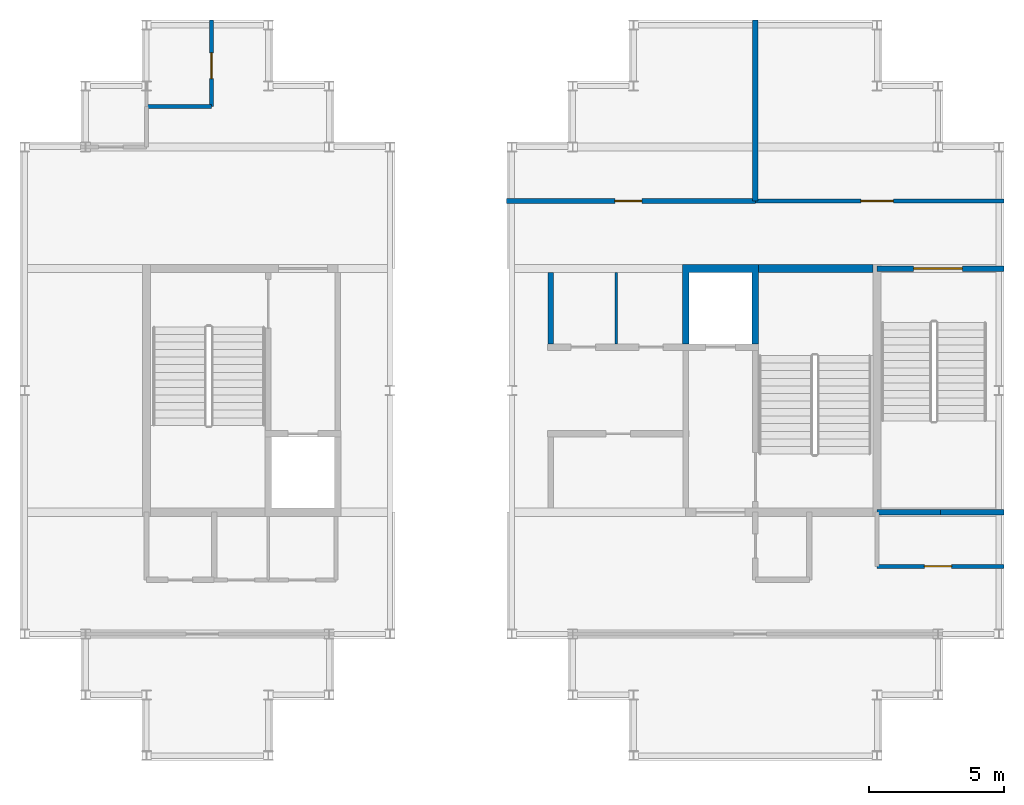
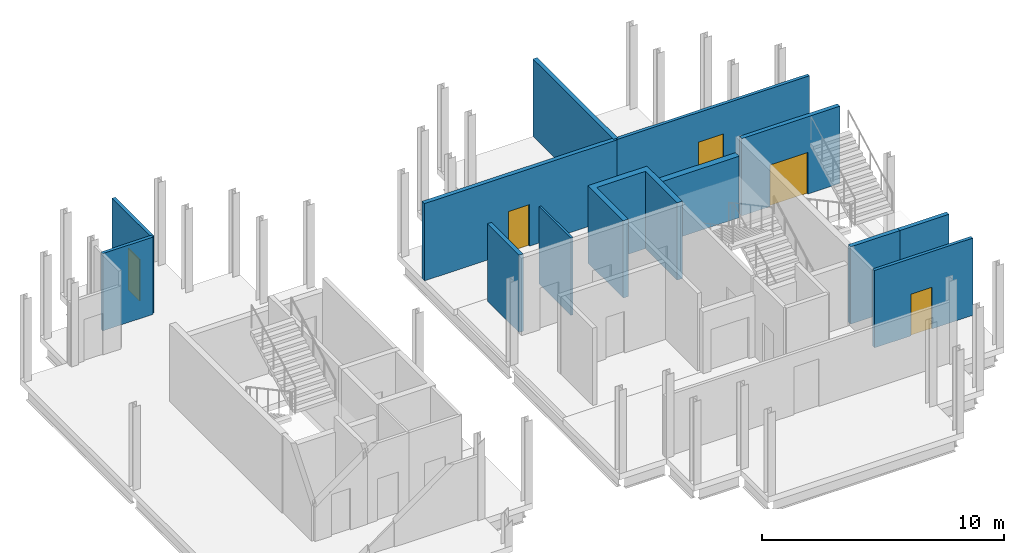
# One storey, part 3 of 7: 13 walls, 5 doors, 5 openings.
"""IFC4 building model written with IfcOpenShell, lengths in metres."""

from ifc_helpers import new_model, si_unit, direction, frame, frame_2d, origin, place, context, subcontext, project, spatial, polyline, rectangle, outline, extrude, material, layer, layer_set, type_object, element, fill, save


model = new_model("IFC4")

# Units and contexts
model_context = context("Model", 3, precision=1e-05, world=origin(), true_north=direction((0.0, 1.0)))
body_context = subcontext(model_context, "Body", "Model", "MODEL_VIEW")
ifc_project = project(units=[si_unit("LENGTHUNIT", "METRE"), si_unit("AREAUNIT", "SQUARE_METRE"), si_unit("VOLUMEUNIT", "CUBIC_METRE"), si_unit("PLANEANGLEUNIT", "RADIAN"), si_unit("MASSUNIT", "GRAM", prefix="KILO")], contexts=[model_context])

# Site, building, storey
site_placement = place(None, origin())
site = spatial("IfcSite", under=ifc_project, at=site_placement, CompositionType="ELEMENT")
building_placement = place(site_placement, origin())
building = spatial("IfcBuilding", under=site, at=building_placement, Name="Caravel Reach Hotel and Residences", CompositionType="ELEMENT")
storey_placement = place(building_placement, frame((0.0, 0.0, 317.0)))
storey = spatial("IfcBuildingStorey", under=building, at=storey_placement, Name="L80", CompositionType="ELEMENT", Elevation=317.0)

# Wall
ifc_material_1 = material(Name="Autoclaved aerated block wall")
ifc_layer_1 = layer(ifc_material_1, 0.199951171875)
ifc_layer_set_1 = layer_set([ifc_layer_1], Name="Compartment wall 200 mm EI 120")
wall_type_1 = type_object("IfcWallType", Name="Compartment wall 200 mm EI 120", PredefinedType="PARTITIONING", material=ifc_layer_set_1)
wall_1_placement = place(storey_placement, frame((32.935791015625, 28.72509765625, 0.0), z_axis=(0.0, 0.0, 1.0), x_axis=(0.0, 1.0, 0.0)))
element("IfcWall", 1, at=wall_1_placement, inside=storey, type_object=wall_type_1, Name="L80 store partition", PredefinedType="PARTITIONING", context=body_context, shape_type="SweptSolid", body=[
    extrude(rectangle(XDim=2.625, YDim=0.199951171875, at=frame_2d((1.3125, 0.0))), origin(), (0.0, 0.0, 1.0), 3.89990234375),
])

# Wall, opening, door
wall_2_placement = place(storey_placement, frame((31.31005859375, 34.0, 0.0), z_axis=(0.0, 0.0, 1.0), x_axis=(1.0, 0.0, 0.0)))
wall_2 = element("IfcWall", 2, at=wall_2_placement, inside=storey, type_object=wall_type_1, Name="L80 wall w017", PredefinedType="PARTITIONING", context=body_context, shape_type="SweptSolid", body=[
    extrude(rectangle(XDim=9.18994140625, YDim=0.199951171875, at=frame_2d((4.594970703125, 0.0))), origin(), (0.0, 0.0, 1.0), 3.89990234375),
])
opening_1_placement = place(wall_2_placement, frame((4.0, 0.0, 0.0)))
opening_1 = element("IfcOpeningElement", 3, at=opening_1_placement, cuts=wall_2, Name="Opening D80-016", PredefinedType="OPENING", context=body_context, shape_type="SweptSolid", body=[
    extrude(rectangle(XDim=1.0, YDim=2.10009765625, at=frame_2d((0.5, 1.050048828125))), frame((0.0, 0.10986328125, 0.0), z_axis=(0.0, -1.0, 0.0), x_axis=(1.0, 0.0, 0.0)), (0.0, 0.0, 1.0), 0.219970703125),
])
ifc_material_2 = material(Name="Steel fire door leaf", Category="steel")
door_type_1 = type_object("IfcDoorType", Name="Fire door 1000 x 2100 EI 60", OperationType="SINGLE_SWING_LEFT", PredefinedType="DOOR", material=ifc_material_2)
door_1_placement = place(opening_1_placement, origin())
door_1 = element("IfcDoor", 4, at=door_1_placement, inside=storey, type_object=door_type_1, Name="door D80-016", OperationType="SINGLE_SWING_RIGHT", OverallHeight=2.10009765625, OverallWidth=1.0, PredefinedType="DOOR", context=body_context, shape_type="SweptSolid", body=[
    extrude(rectangle(XDim=1.0, YDim=2.10009765625, at=frame_2d((0.5, 1.050048828125))), frame((0.0, 0.02490234375, 0.0), z_axis=(0.0, -1.0, 0.0), x_axis=(1.0, 0.0, 0.0)), (0.0, 0.0, 1.0), 0.050048828125),
])
fill(opening_1, door_1)

# Walls
wall_3_placement = place(storey_placement, frame((40.5, 34.0, 0.0), z_axis=(0.0, 0.0, 1.0), x_axis=(0.0, 1.0, 0.0)))
element("IfcWall", 5, at=wall_3_placement, inside=storey, type_object=wall_type_1, Name="L80 wall w021", PredefinedType="PARTITIONING", context=body_context, shape_type="SweptSolid", body=[
    extrude(rectangle(XDim=6.68994140625, YDim=0.199951171875, at=frame_2d((3.344970703125, 0.0))), origin(), (0.0, 0.0, 1.0), 3.89990234375),
])
ifc_material_3 = material(Name="Concrete C60", Category="concrete")
ifc_layer_2 = layer(ifc_material_3, 0.300048828125)
ifc_layer_set_2 = layer_set([ifc_layer_2], Name="Core wall 300 mm EI 120")
wall_type_2 = type_object("IfcWallType", Name="Core wall 300 mm EI 120", PredefinedType="SHEAR", material=ifc_layer_set_2)
wall_4_placement = place(storey_placement, frame((40.625, 31.5, 0.0), z_axis=(0.0, 0.0, 1.0), x_axis=(1.0, 0.0, 0.0)))
element("IfcWall", 6, at=wall_4_placement, inside=storey, type_object=wall_type_2, Name="L80 core wall N2", PredefinedType="SHEAR", context=body_context, shape_type="SweptSolid", body=[
    extrude(rectangle(XDim=4.22509765625, YDim=0.300048828125, at=frame_2d((2.112548828125, 0.0))), origin(), (0.0, 0.0, 1.0), 3.10009765625),
])

# Wall, opening, door
ifc_material_4 = material(Name="Gypsum board on steel stud, fire-rated", Category="steel")
ifc_layer_3 = layer(ifc_material_4, 0.14990234375)
ifc_layer_set_3 = layer_set([ifc_layer_3], Name="Corridor wall 150 mm EI 60")
wall_type_3 = type_object("IfcWallType", Name="Corridor wall 150 mm EI 60", PredefinedType="PARTITIONING", material=ifc_layer_set_3)
wall_5_placement = place(storey_placement, frame((45.0, 20.5, 0.0), z_axis=(0.0, 0.0, 1.0), x_axis=(1.0, 0.0, 0.0)))
wall_5 = element("IfcWall", 7, at=wall_5_placement, inside=storey, type_object=wall_type_3, Name="L80 wall w005", PredefinedType="PARTITIONING", context=body_context, shape_type="SweptSolid", body=[
    extrude(rectangle(XDim=4.68994140625, YDim=0.14990234375, at=frame_2d((2.344970703125, 0.0))), origin(), (0.0, 0.0, 1.0), 3.89990234375),
])
opening_2_placement = place(wall_5_placement, frame((1.75, 0.0, 0.0)))
opening_2 = element("IfcOpeningElement", 8, at=opening_2_placement, cuts=wall_5, Name="Opening D80-021", PredefinedType="OPENING", context=body_context, shape_type="SweptSolid", body=[
    extrude(rectangle(XDim=1.0, YDim=2.10009765625, at=frame_2d((0.5, 1.050048828125))), frame((0.0, 0.0849609375, 0.0), z_axis=(0.0, -1.0, 0.0), x_axis=(1.0, 0.0, 0.0)), (0.0, 0.0, 1.0), 0.169921875),
])
door_2_placement = place(opening_2_placement, origin())
door_2 = element("IfcDoor", 9, at=door_2_placement, inside=storey, type_object=door_type_1, Name="door D80-021", OperationType="SINGLE_SWING_RIGHT", OverallHeight=2.10009765625, OverallWidth=1.0, PredefinedType="DOOR", context=body_context, shape_type="SweptSolid", body=[
    extrude(rectangle(XDim=1.0, YDim=2.10009765625, at=frame_2d((0.5, 1.050048828125))), frame((0.0, 0.02490234375, 0.0), z_axis=(0.0, -1.0, 0.0), x_axis=(1.0, 0.0, 0.0)), (0.0, 0.0, 1.0), 0.050048828125),
])
fill(opening_2, door_2)

wall_6_placement = place(storey_placement, frame((40.5, 34.0, 0.0), z_axis=(0.0, 0.0, 1.0), x_axis=(1.0, 0.0, 0.0)))
wall_6 = element("IfcWall", 10, at=wall_6_placement, inside=storey, type_object=wall_type_3, Name="L80 wall w006", PredefinedType="PARTITIONING", context=body_context, shape_type="SweptSolid", body=[
    extrude(rectangle(XDim=9.18994140625, YDim=0.14990234375, at=frame_2d((4.594970703125, 0.0))), origin(), (0.0, 0.0, 1.0), 3.89990234375),
])
opening_3_placement = place(wall_6_placement, frame((3.89990234375, 0.0, 0.0)))
opening_3 = element("IfcOpeningElement", 11, at=opening_3_placement, cuts=wall_6, Name="Opening D80-017", PredefinedType="OPENING", context=body_context, shape_type="SweptSolid", body=[
    extrude(rectangle(XDim=1.199951171875, YDim=2.39990234375, at=frame_2d((0.60009765625, 1.199951171875))), frame((0.0, 0.0849609375, 0.0), z_axis=(0.0, -1.0, 0.0), x_axis=(1.0, 0.0, 0.0)), (0.0, 0.0, 1.0), 0.169921875),
])
ifc_material_5 = material(Name="Timber and steel door leaf", Category="steel")
door_type_2 = type_object("IfcDoorType", Name="Glazed door 1200 x 2400", OperationType="SINGLE_SWING_LEFT", PredefinedType="DOOR", material=ifc_material_5)
door_3_placement = place(opening_3_placement, origin())
door_3 = element("IfcDoor", 12, at=door_3_placement, inside=storey, type_object=door_type_2, Name="door D80-017", OperationType="SINGLE_SWING_RIGHT", OverallHeight=2.39990234375, OverallWidth=1.199951171875, PredefinedType="DOOR", context=body_context, shape_type="SweptSolid", body=[
    extrude(rectangle(XDim=1.199951171875, YDim=2.39990234375, at=frame_2d((0.60009765625, 1.199951171875))), frame((0.0, 0.02490234375, 0.0), z_axis=(0.0, -1.0, 0.0), x_axis=(1.0, 0.0, 0.0)), (0.0, 0.0, 1.0), 0.050048828125),
])
fill(opening_3, door_3)

# Wall
wall_7_placement = place(storey_placement, frame((18.0, 37.5, 0.0), z_axis=(0.0, 0.0, 1.0), x_axis=(1.0, 0.0, 0.0)))
element("IfcWall", 13, at=wall_7_placement, inside=storey, type_object=wall_type_3, Name="L80 wall w008", PredefinedType="PARTITIONING", context=body_context, shape_type="SweptSolid", body=[
    extrude(rectangle(XDim=2.39990234375, YDim=0.14990234375, at=frame_2d((1.199951171875, 0.0))), origin(), (0.0, 0.0, 1.0), 3.89990234375),
])

# Wall, opening, door
wall_8_placement = place(storey_placement, frame((20.39990234375, 37.5, 0.0), z_axis=(0.0, 0.0, 1.0), x_axis=(0.0, 1.0, 0.0)))
wall_8 = element("IfcWall", 14, at=wall_8_placement, inside=storey, type_object=wall_type_3, Name="L80 wall w010", PredefinedType="PARTITIONING", context=body_context, shape_type="SweptSolid", body=[
    extrude(rectangle(XDim=3.18994140625, YDim=0.14990234375, at=frame_2d((1.594970703125, 0.0))), origin(), (0.0, 0.0, 1.0), 3.89990234375),
])
opening_4_placement = place(wall_8_placement, frame((1.02490234375, 0.0, 0.0)))
opening_4 = element("IfcOpeningElement", 15, at=opening_4_placement, cuts=wall_8, Name="Opening D80-020", PredefinedType="OPENING", context=body_context, shape_type="SweptSolid", body=[
    extrude(rectangle(XDim=0.949951171875, YDim=2.10009765625, at=frame_2d((0.47509765625, 1.050048828125))), frame((0.0, 0.0849609375, 0.0), z_axis=(0.0, -1.0, 0.0), x_axis=(1.0, 0.0, 0.0)), (0.0, 0.0, 1.0), 0.169921875),
])
ifc_material_6 = material(Name="Timber and steel door leaf", Category="steel")
door_type_3 = type_object("IfcDoorType", Name="Accessible WC door 950 x 2100", OperationType="SINGLE_SWING_LEFT", PredefinedType="DOOR", material=ifc_material_6)
door_4_placement = place(opening_4_placement, origin())
door_4 = element("IfcDoor", 16, at=door_4_placement, inside=storey, type_object=door_type_3, Name="door D80-020", OperationType="SINGLE_SWING_LEFT", OverallHeight=2.10009765625, OverallWidth=0.949951171875, PredefinedType="DOOR", context=body_context, shape_type="SweptSolid", body=[
    extrude(rectangle(XDim=0.949951171875, YDim=2.10009765625, at=frame_2d((0.47509765625, 1.050048828125))), frame((0.0, 0.02490234375, 0.0), z_axis=(0.0, -1.0, 0.0), x_axis=(1.0, 0.0, 0.0)), (0.0, 0.0, 1.0), 0.050048828125),
])
fill(opening_4, door_4)

# Walls
ifc_material_7 = material(Name="Gypsum board on steel stud", Category="steel")
ifc_layer_4 = layer(ifc_material_7, 0.10009765625)
ifc_layer_set_4 = layer_set([ifc_layer_4], Name="Partition 100 mm")
wall_type_4 = type_object("IfcWallType", Name="Partition 100 mm", PredefinedType="PARTITIONING", material=ifc_layer_set_4)
wall_9_placement = place(storey_placement, frame((35.357177734375, 28.72509765625, 0.0), z_axis=(0.0, 0.0, 1.0), x_axis=(0.0, 1.0, 0.0)))
element("IfcWall", 17, at=wall_9_placement, inside=storey, type_object=wall_type_4, Name="L80 store partition", PredefinedType="PARTITIONING", context=body_context, shape_type="SweptSolid", body=[
    extrude(rectangle(XDim=2.625, YDim=0.10009765625, at=frame_2d((1.3125, 0.0))), origin(), (0.0, 0.0, 1.0), 3.89990234375),
])
ifc_material_8 = material(Name="Concrete C60", Category="concrete")
ifc_layer_5 = layer(ifc_material_8, 0.25)
ifc_layer_set_5 = layer_set([ifc_layer_5], Name="Shaft wall 250 mm EI 120")
wall_type_5 = type_object("IfcWallType", Name="Shaft wall 250 mm EI 120", PredefinedType="SHEAR", material=ifc_layer_set_5)
wall_10_placement = place(storey_placement, origin())
element("IfcWall", 18, at=wall_10_placement, inside=storey, type_object=wall_type_5, Name="L80 lift shaft wall N1", PredefinedType="SHEAR", context=body_context, shape_type="SweptSolid", body=[
    extrude(outline(polyline([(37.803466796875, 28.72509765625), (38.053466796875, 28.72509765625), (38.053466796875, 31.35009765625), (40.375, 31.35009765625), (40.375, 28.72509765625), (40.625, 28.72509765625), (40.625, 31.64990234375), (37.803466796875, 31.64990234375), (37.803466796875, 28.72509765625)])), origin(), (0.0, 0.0, 1.0), 3.89990234375),
])
ifc_material_9 = material(Name="Concrete C60", Category="concrete")
ifc_layer_6 = layer(ifc_material_9, 0.199951171875)
ifc_layer_set_6 = layer_set([ifc_layer_6], Name="Stair enclosure wall 200 mm EI 120")
wall_type_6 = type_object("IfcWallType", Name="Stair enclosure wall 200 mm EI 120", PredefinedType="SHEAR", material=ifc_layer_set_6)
wall_11_placement = place(storey_placement, frame((45.0, 22.5, 0.0), z_axis=(0.0, 0.0, 1.0), x_axis=(1.0, 0.0, 0.0)))
element("IfcWall", 19, at=wall_11_placement, inside=storey, type_object=wall_type_6, Name="L80 wall w023", PredefinedType="SHEAR", context=body_context, shape_type="SweptSolid", body=[
    extrude(rectangle(XDim=2.344970703125, YDim=0.199951171875, at=frame_2d((1.17236328125, 0.0))), origin(), (0.0, 0.0, 1.0), 3.89990234375),
])

# Wall, opening, door
wall_12_placement = place(storey_placement, frame((45.0, 31.5, 0.0), z_axis=(0.0, 0.0, 1.0), x_axis=(1.0, 0.0, 0.0)))
wall_12 = element("IfcWall", 20, at=wall_12_placement, inside=storey, type_object=wall_type_6, Name="L80 wall w024", PredefinedType="SHEAR", context=body_context, shape_type="SweptSolid", body=[
    extrude(rectangle(XDim=4.68994140625, YDim=0.199951171875, at=frame_2d((2.344970703125, 0.0))), origin(), (0.0, 0.0, 1.0), 3.89990234375),
])
opening_5_placement = place(wall_12_placement, frame((1.35009765625, 0.0, 0.0)))
opening_5 = element("IfcOpeningElement", 21, at=opening_5_placement, cuts=wall_12, Name="Opening D80-010", PredefinedType="OPENING", context=body_context, shape_type="SweptSolid", body=[
    extrude(rectangle(XDim=1.800048828125, YDim=2.10009765625, at=frame_2d((0.89990234375, 1.050048828125))), frame((0.0, 0.10986328125, 0.0), z_axis=(0.0, -1.0, 0.0), x_axis=(1.0, 0.0, 0.0)), (0.0, 0.0, 1.0), 0.219970703125),
])
ifc_material_10 = material(Name="Steel fire door leaf", Category="steel")
door_type_4 = type_object("IfcDoorType", Name="Stair door pair 1800 x 2100 EI 90", OperationType="DOUBLE_DOOR_SINGLE_SWING", PredefinedType="DOOR", material=ifc_material_10)
door_5_placement = place(opening_5_placement, origin())
door_5 = element("IfcDoor", 22, at=door_5_placement, inside=storey, type_object=door_type_4, Name="door D80-010", OperationType="DOUBLE_DOOR_SINGLE_SWING", OverallHeight=2.10009765625, OverallWidth=1.800048828125, PredefinedType="DOOR", context=body_context, shape_type="SweptSolid", body=[
    extrude(rectangle(XDim=1.800048828125, YDim=2.10009765625, at=frame_2d((0.89990234375, 1.050048828125))), frame((0.0, 0.02490234375, 0.0), z_axis=(0.0, -1.0, 0.0), x_axis=(1.0, 0.0, 0.0)), (0.0, 0.0, 1.0), 0.050048828125),
])
fill(opening_5, door_5)

# Wall
wall_13_placement = place(storey_placement, frame((47.344970703125, 22.5, 0.0), z_axis=(0.0, 0.0, 1.0), x_axis=(1.0, 0.0, 0.0)))
element("IfcWall", 23, at=wall_13_placement, inside=storey, type_object=wall_type_6, Name="L80 wall w023", PredefinedType="SHEAR", context=body_context, shape_type="SweptSolid", body=[
    extrude(rectangle(XDim=2.344970703125, YDim=0.199951171875, at=frame_2d((1.17236328125, 0.0))), origin(), (0.0, 0.0, 1.0), 3.89990234375),
])

save(model, "model.ifc")
